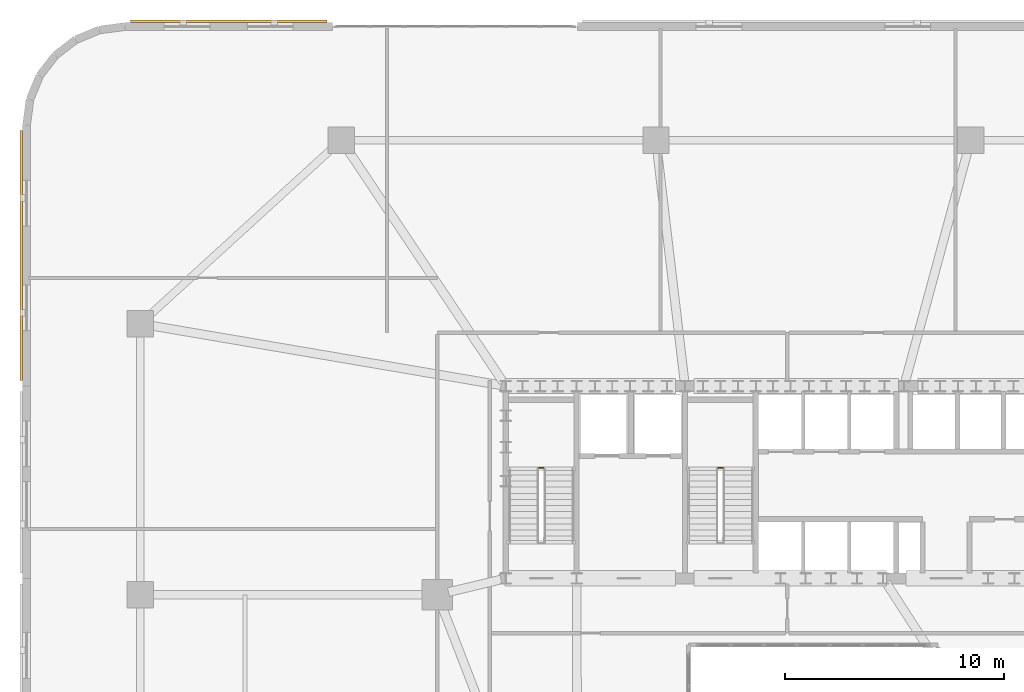
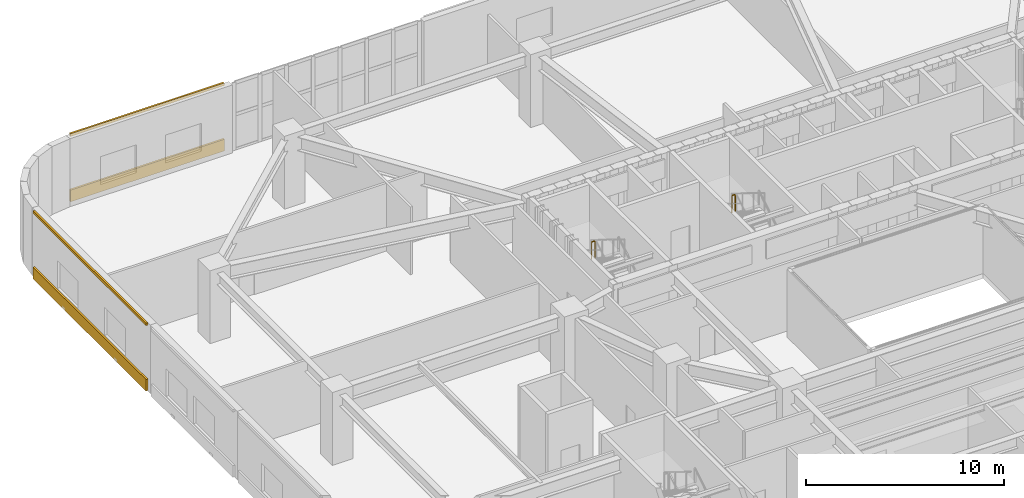
# One storey, part 23 of 25: 4 coverings, 2 railings.
"""IFC4 building model written with IfcOpenShell, lengths in metres."""

import ifcopenshell
import ifcopenshell.guid

model = None  # the IFC model being written
_history = None  # IfcOwnerHistory: only IFC2X3 demands one
_inside = {}  # id of a spatial element -> (the spatial element, [elements in it])
_under = {}  # id of a project, library or spatial element -> (it, [spatial elements below it])
_declared = {}  # id of a project -> (the project, [libraries it declares])
_typed = {}  # id of a type object -> (the type object, [elements of that type])
_made_of = {}  # id of a material, layer set ... -> (it, [elements and type objects made of it])


def new_model(schema):
    """Start an empty IFC model of exactly this schema.

    Asked for "IFC4X3", IfcOpenShell would pick the latest addendum, in which some entities
    have other attributes; the version numbers below select the first issue.
    IFC2X3 requires an IfcOwnerHistory on every rooted entity: one is made here for all.
    """
    global model, _history
    if schema == "IFC4X3":
        model = ifcopenshell.file(schema_version=(4, 3, 0, 0))
    else:
        model = ifcopenshell.file(schema=schema)
    _inside.clear()
    _under.clear()
    _declared.clear()
    _typed.clear()
    _made_of.clear()
    _history = None
    if model.schema == "IFC2X3":
        org = make("IfcOrganization", Name="unknown")
        user = make(
            "IfcPersonAndOrganization",
            ThePerson=make("IfcPerson", FamilyName="unknown"),
            TheOrganization=org,
        )
        app = make(
            "IfcApplication",
            ApplicationDeveloper=org,
            Version="unknown",
            ApplicationFullName="unknown",
            ApplicationIdentifier="unknown",
        )
        _history = make(
            "IfcOwnerHistory",
            OwningUser=user,
            OwningApplication=app,
            ChangeAction="ADDED",
            CreationDate=0,
        )
    return model


def make(cls, **values):
    """One entity of the class cls with the attributes given. An attribute that is None is left unset."""
    return model.create_entity(
        cls, **{name: value for name, value in values.items() if value is not None}
    )


def rooted(cls, **values):
    """An entity with a GlobalId (a new one), such as an element, a storey or a relation."""
    return make(cls, GlobalId=ifcopenshell.guid.new(), OwnerHistory=_history, **values)


def si_unit(unit_type, name, prefix=None):
    """IfcSIUnit, for example si_unit("LENGTHUNIT", "METRE", prefix="MILLI")."""
    return make("IfcSIUnit", UnitType=unit_type, Prefix=prefix, Name=name)


def assignment(units):
    """IfcUnitAssignment: the units of a project."""
    return None if units is None else make("IfcUnitAssignment", Units=units)


def point(xyz):
    """IfcCartesianPoint."""
    return None if xyz is None else make("IfcCartesianPoint", Coordinates=xyz)


def direction(xyz):
    """IfcDirection."""
    return None if xyz is None else make("IfcDirection", DirectionRatios=xyz)


def frame(location, z_axis=None, x_axis=None):
    """IfcAxis2Placement3D, a coordinate frame: its origin and axes. An axis left out is left unset."""
    return make(
        "IfcAxis2Placement3D",
        Location=point(location),
        Axis=direction(z_axis),
        RefDirection=direction(x_axis),
    )


def frame_2d(location, x_axis=None):
    """IfcAxis2Placement2D, a coordinate frame in the plane: its origin and x axis."""
    return make(
        "IfcAxis2Placement2D", Location=point(location), RefDirection=direction(x_axis)
    )


def origin():
    """The frame at (0, 0, 0) with its axes left unset."""
    return frame((0.0, 0.0, 0.0))


def origin_2d():
    """The frame at (0, 0) in the plane with its x axis left unset."""
    return frame_2d((0.0, 0.0))


def place(relative_to, where):
    """IfcLocalPlacement: puts the frame where relative to a parent placement (None: the world)."""
    return make(
        "IfcLocalPlacement", PlacementRelTo=relative_to, RelativePlacement=where
    )


def context(
    kind, dimensions, precision=None, world=None, true_north=None, identifier=None
):
    """IfcGeometricRepresentationContext, for example the 3D "Model" context."""
    return make(
        "IfcGeometricRepresentationContext",
        ContextIdentifier=identifier,
        ContextType=kind,
        CoordinateSpaceDimension=dimensions,
        Precision=precision,
        WorldCoordinateSystem=world,
        TrueNorth=true_north,
    )


def subcontext(parent, identifier, kind, view, scale=None):
    """IfcGeometricRepresentationSubContext, for example "Body" below "Model"."""
    return make(
        "IfcGeometricRepresentationSubContext",
        ContextIdentifier=identifier,
        ContextType=kind,
        ParentContext=parent,
        TargetScale=scale,
        TargetView=view,
    )


def project(units=None, contexts=None):
    """IfcProject with its units and contexts."""
    return rooted(
        "IfcProject",
        Name="project",
        RepresentationContexts=contexts,
        UnitsInContext=assignment(units),
    )


def spatial(cls, under=None, at=None, **own):
    """A site, building, storey or space (cls), placed at a placement, below another one or the project."""
    s = rooted(cls, ObjectPlacement=at, **own)
    if under is not None:
        _under.setdefault(under.id(), (under, []))[1].append(s)
    return s


def polyline(points):
    """IfcPolyline through the points."""
    return make("IfcPolyline", Points=[point(p) for p in points])


def profile(cls, at=None, kind="AREA", **sizes):
    """A parametric profile (cls). Its sizes go by their IFC names, for example OverallWidth=200.0."""
    return make(cls, ProfileType=kind, Position=at, **sizes)


def rectangle(**sizes):
    """IfcRectangleProfileDef."""
    return profile("IfcRectangleProfileDef", **sizes)


def outline(outer, holes=None, kind="AREA"):
    """IfcArbitraryClosedProfileDef: a profile drawn as a closed curve; with holes, ...WithVoids."""
    if holes is None:
        return make("IfcArbitraryClosedProfileDef", ProfileType=kind, OuterCurve=outer)
    return make(
        "IfcArbitraryProfileDefWithVoids",
        ProfileType=kind,
        OuterCurve=outer,
        InnerCurves=holes,
    )


def extrude(swept, where, along, depth):
    """IfcExtrudedAreaSolid: the profile swept, set in the frame where, extruded along a direction by depth."""
    return make(
        "IfcExtrudedAreaSolid",
        SweptArea=swept,
        Position=where,
        ExtrudedDirection=direction(along),
        Depth=depth,
    )


def shape(context_of_items, identifier, shape_type, items):
    """IfcShapeRepresentation: the items that make up one representation, for example the "Body"."""
    return make(
        "IfcShapeRepresentation",
        ContextOfItems=context_of_items,
        RepresentationIdentifier=identifier,
        RepresentationType=shape_type,
        Items=items,
    )


def material(Name=None, Category=None):
    """IfcMaterial."""
    return make("IfcMaterial", Name=Name, Category=Category)


def layer(
    of_material, thickness, ventilated=None, Name=None, Category=None, Priority=None
):
    """IfcMaterialLayer: one layer of a wall or slab, of a material (None: an air gap)."""
    return make(
        "IfcMaterialLayer",
        Material=of_material,
        LayerThickness=thickness,
        IsVentilated=ventilated,
        Name=Name,
        Category=Category,
        Priority=Priority,
    )


def layer_set(layers, Name=None):
    """IfcMaterialLayerSet."""
    return make("IfcMaterialLayerSet", MaterialLayers=layers, LayerSetName=Name)


def made_of(thing, what):
    """Note that an element or type object is made of a material, layer set ...; save() writes the relation."""
    if what is not None:
        _made_of.setdefault(what.id(), (what, []))[1].append(thing)
    return thing


def type_object(cls, material=None, **own):
    """A type object (cls), such as IfcWallType, which elements share."""
    return made_of(rooted(cls, **own), material)


def element(
    cls,
    number,
    at=None,
    inside=None,
    cuts=None,
    type_object=None,
    material=None,
    context=None,
    identifier="Body",
    shape_type=None,
    held_by="IfcProductDefinitionShape",
    body=None,
    shapes=None,
    **own,
):
    """One element of the class cls, such as IfcWall. Its Tag is "e" and its number.

    at: its placement. inside: the storey or other place that contains it. cuts: it is an
    opening in that element (IfcRelVoidsElement). A single representation is given by context,
    identifier, shape_type and body (its items); several are given by shapes. held_by: the class
    of the entity that holds the representations. save() writes the other relations.
    """
    e = rooted(cls, Tag="e%d" % number, ObjectPlacement=at, **own)
    if body is not None:
        shapes = [shape(context, identifier, shape_type, body)]
    if shapes is not None:
        e.Representation = make(held_by, Representations=shapes)
    if inside is not None:
        _inside.setdefault(inside.id(), (inside, []))[1].append(e)
    if cuts is not None:
        rooted(
            "IfcRelVoidsElement", RelatingBuildingElement=cuts, RelatedOpeningElement=e
        )
    if type_object is not None:
        _typed.setdefault(type_object.id(), (type_object, []))[1].append(e)
    return made_of(e, material)


def aggregate(whole, parts):
    """IfcRelAggregates: a whole, such as a stair, and the parts it consists of."""
    return rooted("IfcRelAggregates", RelatingObject=whole, RelatedObjects=parts)


def save(model, path):
    """Write the relations noted so far, then the file.

    IfcRelAggregates (storeys below a building ...), IfcRelContainedInSpatialStructure (elements
    in a storey), IfcRelDefinesByType, IfcRelAssociatesMaterial and IfcRelDeclares: one each for
    every whole, place, type object, material and project.
    """
    for whole, parts in _under.values():
        aggregate(whole, parts)
    for where, things in _inside.values():
        rooted(
            "IfcRelContainedInSpatialStructure",
            RelatedElements=things,
            RelatingStructure=where,
        )
    for kind, things in _typed.values():
        rooted("IfcRelDefinesByType", RelatedObjects=things, RelatingType=kind)
    for what, things in _made_of.values():
        rooted("IfcRelAssociatesMaterial", RelatedObjects=things, RelatingMaterial=what)
    for by, libraries in _declared.values():
        rooted("IfcRelDeclares", RelatingContext=by, RelatedDefinitions=libraries)
    model.write(path)


model = new_model("IFC4")

# Units and contexts
model_context = context("Model", 3, precision=1e-05, world=origin(), true_north=direction((0.0, 1.0)))
body_context = subcontext(model_context, "Body", "Model", "MODEL_VIEW")
ifc_project = project(units=[si_unit("LENGTHUNIT", "METRE"), si_unit("AREAUNIT", "SQUARE_METRE"), si_unit("VOLUMEUNIT", "CUBIC_METRE"), si_unit("PLANEANGLEUNIT", "RADIAN"), si_unit("MASSUNIT", "GRAM", prefix="KILO")], contexts=[model_context])

# Site, building, storey
site_placement = place(None, origin())
site = spatial("IfcSite", under=ifc_project, at=site_placement, CompositionType="ELEMENT")
building_placement = place(site_placement, origin())
building = spatial("IfcBuilding", under=site, at=building_placement, Name="Haldorwick Loom Tower", CompositionType="ELEMENT")
storey_placement = place(building_placement, frame((0.0, 0.0, 6.0)))
storey = spatial("IfcBuildingStorey", under=building, at=storey_placement, Name="L01", CompositionType="ELEMENT", Elevation=6.0)

# Coverings
ifc_material_1 = material(Name="Corbelled Pressed Clay Face Brick Veneer", Category="masonry")
ifc_layer = layer(ifc_material_1, 0.110107421875, Name="Corbelled Pressed Clay Face Brick Veneer", Category="masonry")
ifc_layer_set = layer_set([ifc_layer], Name="Corbelled Pressed Clay Face Brick Veneer")
covering_type = type_object("IfcCoveringType", Name="ARC-COV-BRICK110", PredefinedType="CLADDING", material=ifc_layer_set)
covering_1_placement = place(storey_placement, origin())
element("IfcCovering", 1, at=covering_1_placement, inside=storey, type_object=covering_type, Name="L01 Sill Face-Brick Spandrel 21", PredefinedType="CLADDING", context=body_context, shape_type="SweptSolid", body=[
    extrude(outline(polyline([(13.75, 52.2900390625), (4.75, 52.2900390625), (4.75, 52.179931640625), (13.75, 52.179931640625), (13.75, 52.2900390625)])), origin(), (0.0, 0.0, 1.0), 0.719970703125),
])
covering_2_placement = place(storey_placement, frame((0.0, 0.0, 4.0400390625)))
element("IfcCovering", 2, at=covering_2_placement, inside=storey, type_object=covering_type, Name="L01 Head Face-Brick Lintel Band 21", PredefinedType="CLADDING", context=body_context, shape_type="SweptSolid", body=[
    extrude(outline(polyline([(13.75, 52.2900390625), (4.75, 52.2900390625), (4.75, 52.179931640625), (13.75, 52.179931640625), (13.75, 52.2900390625)])), origin(), (0.0, 0.0, 1.0), 0.159912109375),
])
covering_3_placement = place(storey_placement, origin())
element("IfcCovering", 3, at=covering_3_placement, inside=storey, type_object=covering_type, Name="L01 Sill Face-Brick Spandrel 28", PredefinedType="CLADDING", context=body_context, shape_type="SweptSolid", body=[
    extrude(outline(polyline([(-0.2900390625, 47.25), (-0.2900390625, 35.800048828125), (-0.179931640625, 35.800048828125), (-0.179931640625, 47.25), (-0.2900390625, 47.25)])), origin(), (0.0, 0.0, 1.0), 0.719970703125),
])
covering_4_placement = place(storey_placement, frame((0.0, 0.0, 4.0400390625)))
element("IfcCovering", 4, at=covering_4_placement, inside=storey, type_object=covering_type, Name="L01 Head Face-Brick Lintel Band 28", PredefinedType="CLADDING", context=body_context, shape_type="SweptSolid", body=[
    extrude(outline(polyline([(-0.2900390625, 47.25), (-0.2900390625, 35.800048828125), (-0.179931640625, 35.800048828125), (-0.179931640625, 47.25), (-0.2900390625, 47.25)])), origin(), (0.0, 0.0, 1.0), 0.159912109375),
])

# Railings
ifc_material_2 = material(Name="Steel CSA G40.21 350W", Category="steel")
railing_type = type_object("IfcRailingType", Name="ARC-RLG-GUARD112", PredefinedType="GUARDRAIL", material=ifc_material_2)
railing_1_placement = place(storey_placement, frame((23.64990234375, 31.81005859375, 2.25)))
element("IfcRailing", 5, at=railing_1_placement, inside=storey, type_object=railing_type, Name="L01 ST-01 stair guard 2", PredefinedType="GUARDRAIL", context=body_context, shape_type="SweptSolid", body=[
    extrude(rectangle(XDim=0.048095703125, YDim=0.048095703125, at=origin_2d()), frame((0.0, 0.0, 1.076171875), z_axis=(-1.0, 0.0, 0.0), x_axis=(0.0, -1.0, 0.0)), (0.0, 0.0, 1.0), 0.199951171875),
    extrude(rectangle(XDim=0.0419921875, YDim=0.0419921875, at=origin_2d()), origin(), (0.0, 0.0, 1.0), 1.052001953125),
    extrude(rectangle(XDim=0.0419921875, YDim=0.0419921875, at=origin_2d()), frame((-0.199951171875, 0.0, 0.0)), (0.0, 0.0, 1.0), 1.052001953125),
])
railing_2_placement = place(storey_placement, frame((31.85009765625, 31.81005859375, 2.25)))
element("IfcRailing", 6, at=railing_2_placement, inside=storey, type_object=railing_type, Name="L01 ST-03 stair guard 2", PredefinedType="GUARDRAIL", context=body_context, shape_type="SweptSolid", body=[
    extrude(rectangle(XDim=0.048095703125, YDim=0.048095703125, at=origin_2d()), frame((0.0, 0.0, 1.076171875), z_axis=(-1.0, 0.0, 0.0), x_axis=(0.0, -1.0, 0.0)), (0.0, 0.0, 1.0), 0.2001953125),
    extrude(rectangle(XDim=0.0419921875, YDim=0.0419921875, at=origin_2d()), origin(), (0.0, 0.0, 1.0), 1.052001953125),
    extrude(rectangle(XDim=0.0419921875, YDim=0.0419921875, at=origin_2d()), frame((-0.2001953125, 0.0, 0.0)), (0.0, 0.0, 1.0), 1.052001953125),
])

save(model, "model.ifc")
